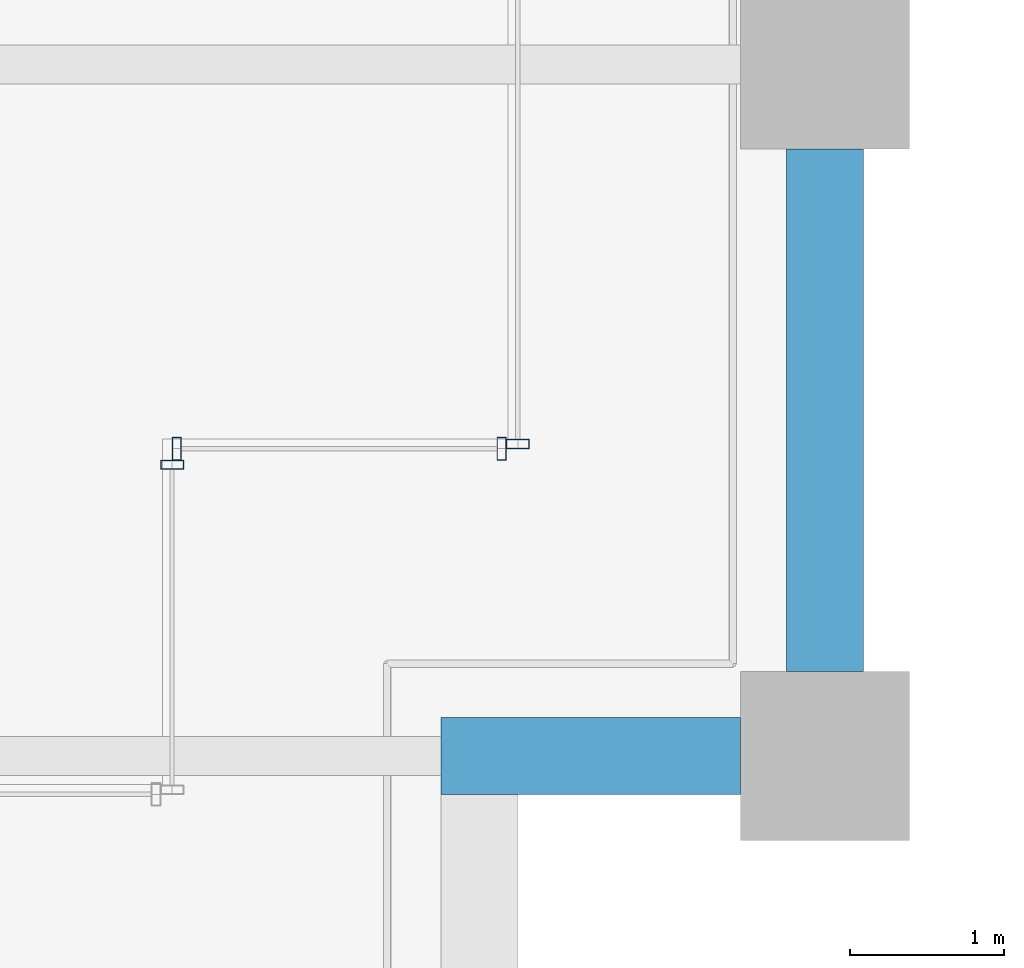
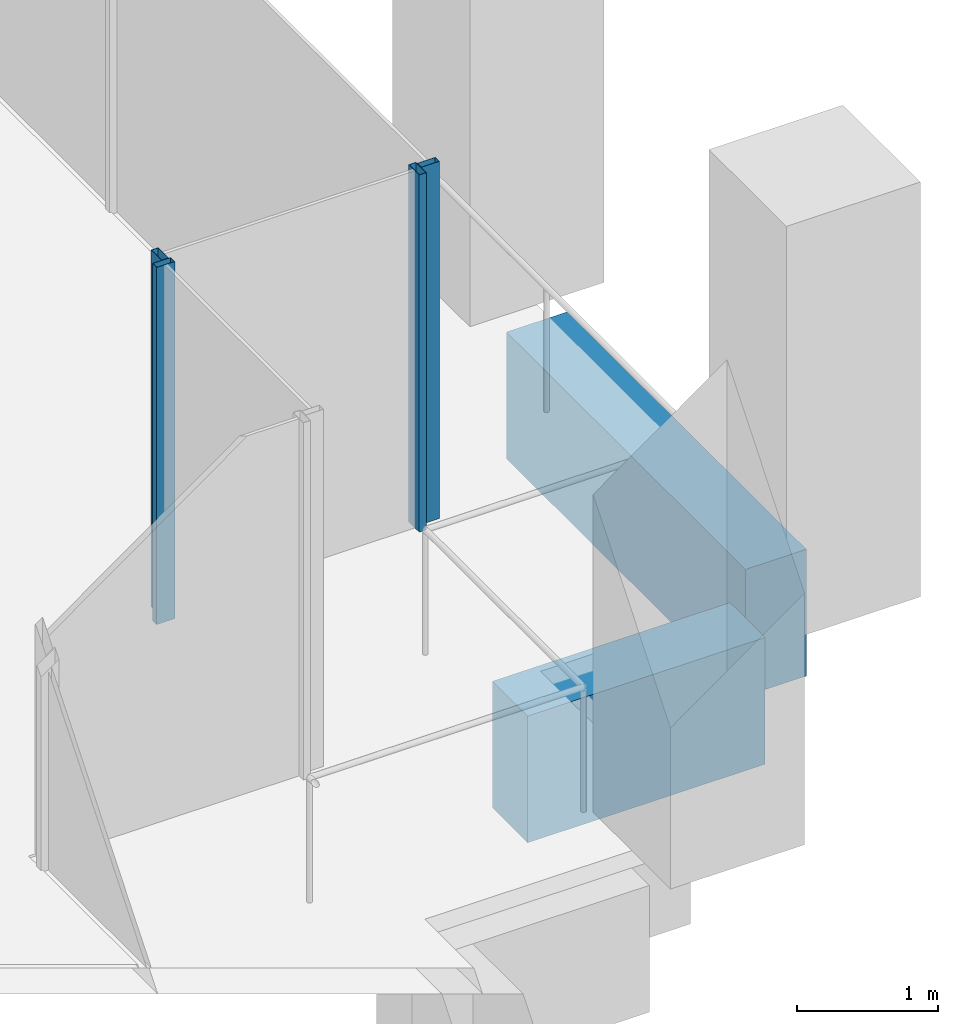
# One storey, part 16 of 54: 4 members, 2 beams, 3 elements without a shape of their own.
"""IFC4 building model written with IfcOpenShell, lengths in metres."""

from ifc_helpers import new_model, si_unit, direction, frame, origin, origin_2d, place, context, subcontext, project, spatial, rectangle, hollow_rectangle, extrude, material, material_profile, profile_set, type_object, element, aggregate, save


model = new_model("IFC4")

# Units and contexts
model_context = context("Model", 3, precision=1e-05, world=origin(), true_north=direction((0.0, 1.0)))
body_context = subcontext(model_context, "Body", "Model", "MODEL_VIEW")
ifc_project = project(units=[si_unit("LENGTHUNIT", "METRE"), si_unit("AREAUNIT", "SQUARE_METRE"), si_unit("VOLUMEUNIT", "CUBIC_METRE"), si_unit("PLANEANGLEUNIT", "RADIAN"), si_unit("MASSUNIT", "GRAM", prefix="KILO")], contexts=[model_context])

# Site, building, storey
site_placement = place(None, origin())
site = spatial("IfcSite", under=ifc_project, at=site_placement, CompositionType="ELEMENT")
building_placement = place(site_placement, origin())
building = spatial("IfcBuilding", under=site, at=building_placement, Name="Altepetl Exchange Towers", CompositionType="ELEMENT")
storey_placement = place(building_placement, frame((0.0, 0.0, 58.199951171875)))
storey = spatial("IfcBuildingStorey", under=building, at=storey_placement, Name="L13", CompositionType="ELEMENT", Elevation=58.199951171875)

# Curtain wall, member
ifc_material_1 = material(Name="Aluminium 6063-T6 glazing", Category="aluminium")
curtain_wall_type = type_object("IfcCurtainWallType", Name="Loggia glazing system", PredefinedType="NOTDEFINED", material=ifc_material_1)
curtain_wall_1_placement = place(storey_placement, origin())
curtain_wall_1 = element("IfcCurtainWall", 1, at=curtain_wall_1_placement, inside=storey, type_object=curtain_wall_type, Name="CW1 run", PredefinedType="NOTDEFINED")
ifc_material_2 = material(Name="Aluminium 6063-T6", Category="aluminium")
ifc_material_profile_1 = material_profile(ifc_material_2, hollow_rectangle(XDim=0.06005859375, YDim=0.14990234375, WallThickness=0.0029296875, at=origin_2d()), Name="Mullion 60x150 aluminium")
ifc_profile_set_1 = profile_set([ifc_material_profile_1], Name="Aluminium 6063-T6")
member_type = type_object("IfcMemberType", Name="Mullion 60x150 aluminium", PredefinedType="MULLION", material=ifc_profile_set_1)
member_1_placement = place(storey_placement, frame((67.75, 33.39501953125, 0.0), z_axis=(0.0, 0.0, 1.0), x_axis=(0.0, 1.0, 0.0)))
member_1 = element("IfcMember", 2, at=member_1_placement, type_object=member_type, Name="MU1 mullion", PredefinedType="MULLION", context=body_context, shape_type="SweptSolid", body=[
    extrude(hollow_rectangle(XDim=0.06005859375, YDim=0.14990234375, WallThickness=0.0029296875, at=origin_2d()), origin(), (0.0, 0.0, 1.0), 3.10009765625),
])
aggregate(curtain_wall_1, [member_1])

# Curtain wall, members
curtain_wall_2_placement = place(storey_placement, origin())
curtain_wall_2 = element("IfcCurtainWall", 3, at=curtain_wall_2_placement, inside=storey, type_object=curtain_wall_type, Name="CW1 run", PredefinedType="NOTDEFINED")
member_2_placement = place(storey_placement, frame((67.780029296875, 33.5, 0.0)))
member_2 = element("IfcMember", 4, at=member_2_placement, type_object=member_type, Name="MU1 mullion", PredefinedType="MULLION", context=body_context, shape_type="SweptSolid", body=[
    extrude(hollow_rectangle(XDim=0.06005859375, YDim=0.14990234375, WallThickness=0.0029296875, at=origin_2d()), origin(), (0.0, 0.0, 1.0), 3.10009765625),
])
member_3_placement = place(storey_placement, frame((69.89501953125, 33.5, 0.0)))
member_3 = element("IfcMember", 5, at=member_3_placement, type_object=member_type, Name="MU1 mullion", PredefinedType="MULLION", context=body_context, shape_type="SweptSolid", body=[
    extrude(hollow_rectangle(XDim=0.06005859375, YDim=0.14990234375, WallThickness=0.0029296875, at=origin_2d()), origin(), (0.0, 0.0, 1.0), 3.10009765625),
])
aggregate(curtain_wall_2, [member_2, member_3])

# Curtain wall, member
curtain_wall_3_placement = place(storey_placement, origin())
curtain_wall_3 = element("IfcCurtainWall", 6, at=curtain_wall_3_placement, inside=storey, type_object=curtain_wall_type, Name="CW1 run", PredefinedType="NOTDEFINED")
member_4_placement = place(storey_placement, frame((70.0, 33.530029296875, 0.0), z_axis=(0.0, 0.0, 1.0), x_axis=(0.0, 1.0, 0.0)))
member_4 = element("IfcMember", 7, at=member_4_placement, type_object=member_type, Name="MU1 mullion", PredefinedType="MULLION", context=body_context, shape_type="SweptSolid", body=[
    extrude(hollow_rectangle(XDim=0.06005859375, YDim=0.14990234375, WallThickness=0.0029296875, at=origin_2d()), origin(), (0.0, 0.0, 1.0), 3.10009765625),
])
aggregate(curtain_wall_3, [member_4])

# Beams
ifc_material_3 = material(Name="Concrete C50/60 precast with cantera amarilla facing", Category="concrete")
ifc_material_profile_2 = material_profile(ifc_material_3, rectangle(XDim=0.5, YDim=1.10009765625, at=origin_2d()), Name="500 x 1100")
ifc_profile_set_2 = profile_set([ifc_material_profile_2], Name="Concrete C50/60 precast with cantera amarilla facing")
beam_type = type_object("IfcBeamType", Name="Spandrel beam 500x1100 cantera amarilla", PredefinedType="SPANDREL", material=ifc_profile_set_2)
beam_1_placement = place(storey_placement, frame((69.5, 31.5, -0.699951171875), z_axis=(1.0, 0.0, 0.0), x_axis=(0.0, 1.0, 0.0)))
element("IfcBeam", 8, at=beam_1_placement, inside=storey, type_object=beam_type, Name="sp:A:L13:011", PredefinedType="SPANDREL", context=body_context, shape_type="SweptSolid", body=[
    extrude(rectangle(XDim=0.5, YDim=1.10009765625, at=origin_2d()), origin(), (0.0, 0.0, 1.0), 1.949951171875),
])
beam_2_placement = place(storey_placement, frame((72.0, 32.050048828125, -0.699951171875), z_axis=(0.0, 1.0, 0.0), x_axis=(-1.0, 0.0, 0.0)))
element("IfcBeam", 9, at=beam_2_placement, inside=storey, type_object=beam_type, Name="sp:A:L13:012", PredefinedType="SPANDREL", context=body_context, shape_type="SweptSolid", body=[
    extrude(rectangle(XDim=0.5, YDim=1.10009765625, at=origin_2d()), origin(), (0.0, 0.0, 1.0), 3.39990234375),
])

save(model, "model.ifc")
